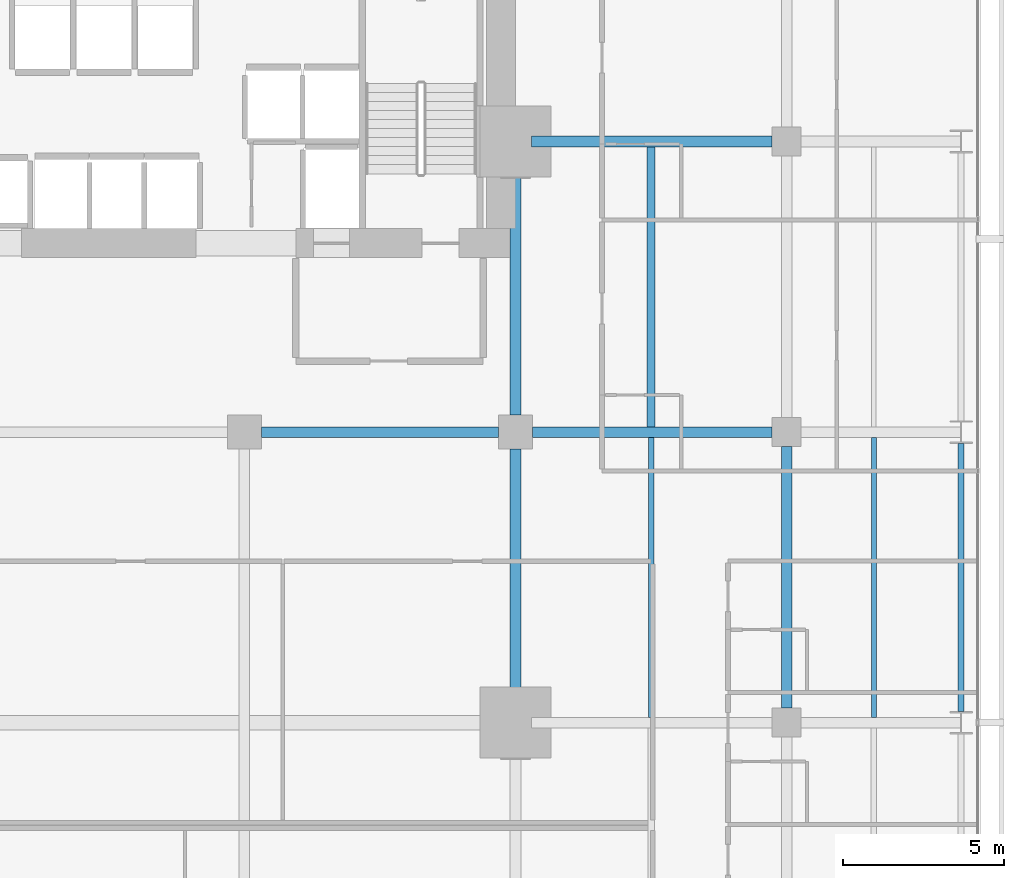
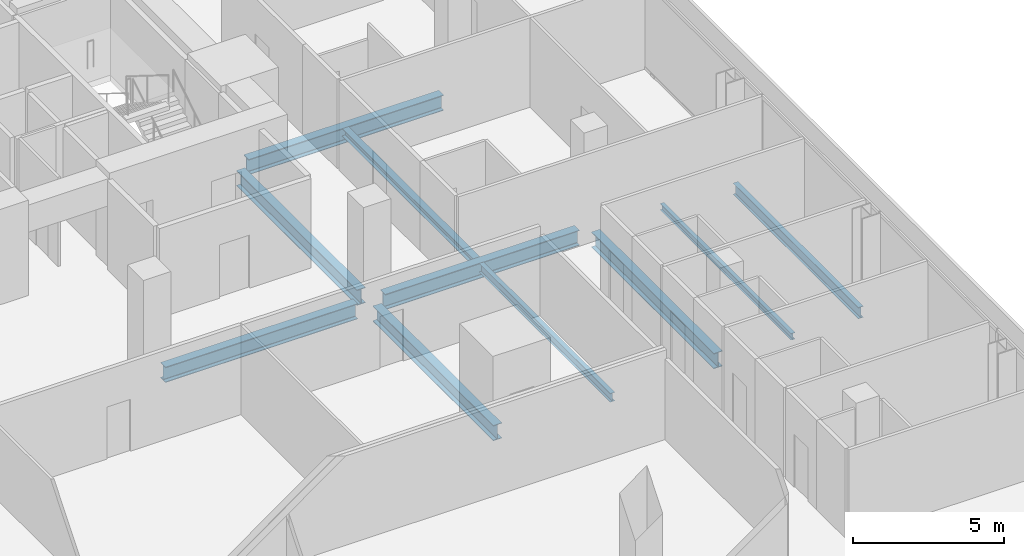
# One storey, part 27 of 40: 10 beams.
"""IFC4 building model written with IfcOpenShell, lengths in metres."""

from ifc_helpers import new_model, si_unit, direction, frame, origin, origin_2d, place, context, subcontext, project, spatial, i_section, extrude, material, material_profile, profile_set, type_object, element, save


model = new_model("IFC4")

# Units and contexts
model_context = context("Model", 3, precision=1e-05, world=origin(), true_north=direction((0.0, 1.0)))
body_context = subcontext(model_context, "Body", "Model", "MODEL_VIEW")
ifc_project = project(units=[si_unit("LENGTHUNIT", "METRE"), si_unit("AREAUNIT", "SQUARE_METRE"), si_unit("VOLUMEUNIT", "CUBIC_METRE"), si_unit("PLANEANGLEUNIT", "RADIAN"), si_unit("MASSUNIT", "GRAM", prefix="KILO")], contexts=[model_context])

# Site, building, storey
site_placement = place(None, origin())
site = spatial("IfcSite", under=ifc_project, at=site_placement, CompositionType="ELEMENT")
building_placement = place(site_placement, origin())
building = spatial("IfcBuilding", under=site, at=building_placement, Name="Maruvema Waterfront Hotel and Observation Tower", CompositionType="ELEMENT")
storey_placement = place(building_placement, frame((0.0, 0.0, 57.75)))
storey = spatial("IfcBuildingStorey", under=building, at=storey_placement, Name="L13", CompositionType="ELEMENT", Elevation=57.75)

# Beams
ifc_material_1 = material(Name="Steel ASTM A572 Grade 50", Category="steel")
ifc_material_profile_1 = material_profile(ifc_material_1, i_section(OverallWidth=0.18994140625, OverallDepth=0.45703125, WebThickness=0.009033203125, FlangeThickness=0.014404296875, FilletRadius=0.014892578125, at=origin_2d()), Name="W460x74.0")
ifc_profile_set_1 = profile_set([ifc_material_profile_1], Name="Steel ASTM A572 Grade 50")
beam_type_1 = type_object("IfcBeamType", Name="Perimeter Spandrel Beam W460x74.0", PredefinedType="SPANDREL", material=ifc_profile_set_1)
beam_1_placement = place(storey_placement, frame((64.199951171875, 27.35009765625, -0.468505859375), z_axis=(0.0, 1.0, 0.0), x_axis=(-1.0, 0.0, 0.0)))
element("IfcBeam", 1, at=beam_1_placement, inside=storey, type_object=beam_type_1, Name="L13 Floor Girder NS-35", PredefinedType="SPANDREL", context=body_context, shape_type="SweptSolid", body=[
    extrude(i_section(OverallWidth=0.18994140625, OverallDepth=0.45703125, WebThickness=0.009033203125, FlangeThickness=0.014404296875, FilletRadius=0.014892578125, at=origin_2d()), origin(), (0.0, 0.0, 1.0), 8.2998046875),
])
ifc_material_2 = material(Name="Steel ASTM A572 Grade 50", Category="steel")
ifc_material_profile_2 = material_profile(ifc_material_2, i_section(OverallWidth=0.326904296875, OverallDepth=0.6220703125, WebThickness=0.015380859375, FlangeThickness=0.0244140625, FilletRadius=0.01806640625, at=origin_2d()), Name="W610x195.0")
ifc_profile_set_2 = profile_set([ifc_material_profile_2], Name="Steel ASTM A572 Grade 50")
beam_type_2 = type_object("IfcBeamType", Name="Primary Floor Girder W610x195.0", PredefinedType="BEAM", material=ifc_profile_set_2)
beam_2_placement = place(storey_placement, frame((42.52490234375, 36.0, -0.551025390625), z_axis=(1.0, 0.0, 0.0), x_axis=(0.0, 1.0, 0.0)))
element("IfcBeam", 2, at=beam_2_placement, inside=storey, type_object=beam_type_2, Name="L13 Floor Girder EW-29", PredefinedType="BEAM", context=body_context, shape_type="SweptSolid", body=[
    extrude(i_section(OverallWidth=0.326904296875, OverallDepth=0.6220703125, WebThickness=0.015380859375, FlangeThickness=0.0244140625, FilletRadius=0.01806640625, at=origin_2d()), origin(), (0.0, 0.0, 1.0), 7.35009765625),
])
beam_3_placement = place(storey_placement, frame((50.925048828125, 36.0, -0.551025390625), z_axis=(1.0, 0.0, 0.0), x_axis=(0.0, 1.0, 0.0)))
element("IfcBeam", 3, at=beam_3_placement, inside=storey, type_object=beam_type_2, Name="L13 Floor Girder EW-30", PredefinedType="BEAM", context=body_context, shape_type="SweptSolid", body=[
    extrude(i_section(OverallWidth=0.326904296875, OverallDepth=0.6220703125, WebThickness=0.015380859375, FlangeThickness=0.0244140625, FilletRadius=0.01806640625, at=origin_2d()), origin(), (0.0, 0.0, 1.0), 7.425048828125),
])
beam_4_placement = place(storey_placement, frame((50.89990234375, 45.0, -0.551025390625), z_axis=(1.0, 0.0, 0.0), x_axis=(0.0, 1.0, 0.0)))
element("IfcBeam", 4, at=beam_4_placement, inside=storey, type_object=beam_type_2, Name="L13 Floor Girder EW-34", PredefinedType="BEAM", context=body_context, shape_type="SweptSolid", body=[
    extrude(i_section(OverallWidth=0.326904296875, OverallDepth=0.6220703125, WebThickness=0.015380859375, FlangeThickness=0.0244140625, FilletRadius=0.01806640625, at=origin_2d()), origin(), (0.0, 0.0, 1.0), 7.4501953125),
])
for number, where, z_axis, x_axis, name in (
    (5, (50.39990234375, 27.5, -0.551025390625), (0.0, 1.0, 0.0), (-1.0, 0.0, 0.0), "L13 Floor Girder NS-25"),
    (6, (50.39990234375, 36.52490234375, -0.551025390625), (0.0, 1.0, 0.0), (-1.0, 0.0, 0.0), "L13 Floor Girder NS-26"),
):
    element("IfcBeam", number, at=place(storey_placement, frame(where, z_axis=z_axis, x_axis=x_axis)), inside=storey, type_object=beam_type_2, Name=name, PredefinedType="BEAM", context=body_context, shape_type="SweptSolid", body=[
        extrude(i_section(OverallWidth=0.326904296875, OverallDepth=0.6220703125, WebThickness=0.015380859375, FlangeThickness=0.0244140625, FilletRadius=0.01806640625, at=origin_2d()), origin(), (0.0, 0.0, 1.0), 7.97509765625),
    ])
beam_5_placement = place(storey_placement, frame((58.800048828125, 27.449951171875, -0.551025390625), z_axis=(0.0, 1.0, 0.0), x_axis=(-1.0, 0.0, 0.0)))
element("IfcBeam", 7, at=beam_5_placement, inside=storey, type_object=beam_type_2, Name="L13 Floor Girder NS-30", PredefinedType="BEAM", context=body_context, shape_type="SweptSolid", body=[
    extrude(i_section(OverallWidth=0.326904296875, OverallDepth=0.6220703125, WebThickness=0.015380859375, FlangeThickness=0.0244140625, FilletRadius=0.01806640625, at=origin_2d()), origin(), (0.0, 0.0, 1.0), 8.10009765625),
])
ifc_material_3 = material(Name="Steel ASTM A572 Grade 50", Category="steel")
ifc_material_profile_3 = material_profile(ifc_material_3, i_section(OverallWidth=0.14794921875, OverallDepth=0.26611328125, WebThickness=0.007568359375, FlangeThickness=0.012939453125, FilletRadius=0.012939453125, at=origin_2d()), Name="W250x44.8")
ifc_profile_set_3 = profile_set([ifc_material_profile_3], Name="Steel ASTM A572 Grade 50")
beam_type_3 = type_object("IfcBeamType", Name="Secondary Floor Joist W250x44.8", PredefinedType="JOIST", material=ifc_profile_set_3)
beam_6_placement = place(storey_placement, frame((61.5, 27.16357421875, -0.373046875), z_axis=(0.0, 1.0, 0.0), x_axis=(-1.0, 0.0, 0.0)))
element("IfcBeam", 8, at=beam_6_placement, inside=storey, type_object=beam_type_3, Name="L13 Secondary Floor Joist JS-23", PredefinedType="JOIST", context=body_context, shape_type="SweptSolid", body=[
    extrude(i_section(OverallWidth=0.14794921875, OverallDepth=0.26611328125, WebThickness=0.007568359375, FlangeThickness=0.012939453125, FilletRadius=0.012939453125, at=origin_2d()), origin(), (0.0, 0.0, 1.0), 8.6728515625),
])
ifc_material_4 = material(Name="Steel ASTM A572 Grade 50", Category="steel")
ifc_material_profile_4 = material_profile(ifc_material_4, i_section(OverallWidth=0.25390625, OverallDepth=0.305908203125, WebThickness=0.0087890625, FlangeThickness=0.0146484375, FilletRadius=0.014892578125, at=origin_2d()), Name="W310x79.0")
ifc_profile_set_4 = profile_set([ifc_material_profile_4], Name="Steel ASTM A572 Grade 50")
beam_type_4 = type_object("IfcBeamType", Name="Secondary Floor Joist W310x79.0", PredefinedType="JOIST", material=ifc_profile_set_4)
beam_7_placement = place(storey_placement, frame((54.60009765625, 36.16357421875, -0.39306640625), z_axis=(0.0, 1.0, 0.0), x_axis=(-1.0, 0.0, 0.0)))
element("IfcBeam", 9, at=beam_7_placement, inside=storey, type_object=beam_type_4, Name="L13 Secondary Floor Joist JS-20", PredefinedType="JOIST", context=body_context, shape_type="SweptSolid", body=[
    extrude(i_section(OverallWidth=0.25390625, OverallDepth=0.305908203125, WebThickness=0.0087890625, FlangeThickness=0.0146484375, FilletRadius=0.014892578125, at=origin_2d()), origin(), (0.0, 0.0, 1.0), 8.6728515625),
])
ifc_material_5 = material(Name="Steel ASTM A572 Grade 50", Category="steel")
ifc_material_profile_5 = material_profile(ifc_material_5, i_section(OverallWidth=0.1708984375, OverallDepth=0.35498046875, WebThickness=0.007080078125, FlangeThickness=0.01171875, FilletRadius=0.014892578125, at=origin_2d()), Name="W360x51.0")
ifc_profile_set_5 = profile_set([ifc_material_profile_5], Name="Steel ASTM A572 Grade 50")
beam_type_5 = type_object("IfcBeamType", Name="Secondary Floor Joist W360x51.0", PredefinedType="JOIST", material=ifc_profile_set_5)
beam_8_placement = place(storey_placement, frame((54.60009765625, 27.16357421875, -0.41748046875), z_axis=(0.0, 1.0, 0.0), x_axis=(-1.0, 0.0, 0.0)))
element("IfcBeam", 10, at=beam_8_placement, inside=storey, type_object=beam_type_5, Name="L13 Secondary Floor Joist JS-19", PredefinedType="JOIST", context=body_context, shape_type="SweptSolid", body=[
    extrude(i_section(OverallWidth=0.1708984375, OverallDepth=0.35498046875, WebThickness=0.007080078125, FlangeThickness=0.01171875, FilletRadius=0.014892578125, at=origin_2d()), origin(), (0.0, 0.0, 1.0), 8.6728515625),
])

save(model, "model.ifc")
